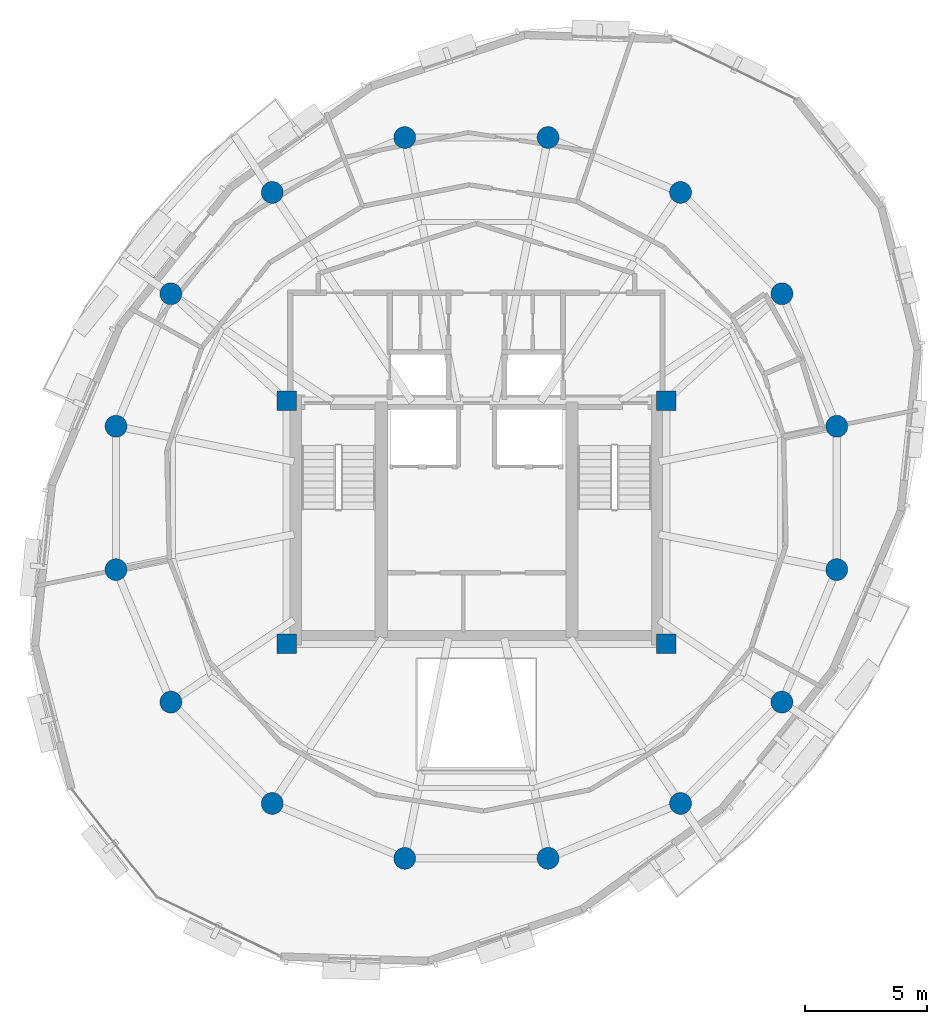
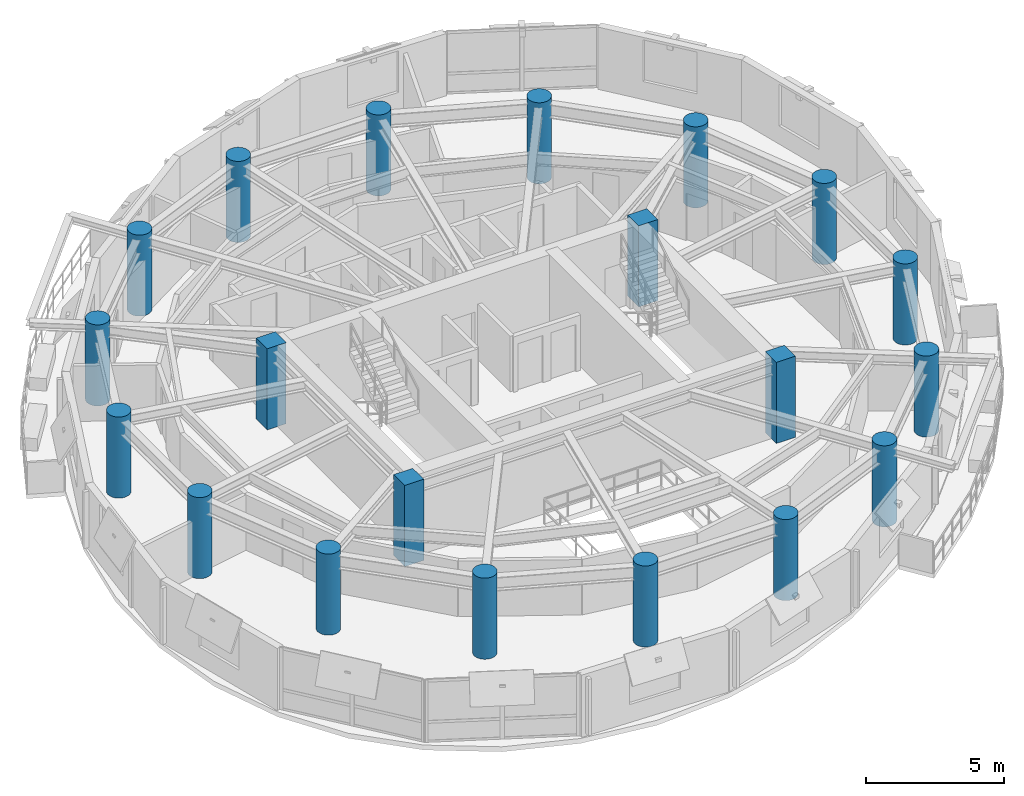
# One storey, part 1 of 11: 20 columns.
"""IFC4 building model written with IfcOpenShell, lengths in metres."""

from ifc_helpers import new_model, si_unit, direction, frame, origin, origin_2d, place, context, subcontext, project, spatial, rectangle, circle, extrude, material, material_profile, profile_set, type_object, element, save


model = new_model("IFC4")

# Units and contexts
model_context = context("Model", 3, precision=1e-05, world=origin(), true_north=direction((0.0, 1.0)))
body_context = subcontext(model_context, "Body", "Model", "MODEL_VIEW")
ifc_project = project(units=[si_unit("LENGTHUNIT", "METRE"), si_unit("AREAUNIT", "SQUARE_METRE"), si_unit("VOLUMEUNIT", "CUBIC_METRE"), si_unit("PLANEANGLEUNIT", "RADIAN"), si_unit("MASSUNIT", "GRAM", prefix="KILO"), si_unit("THERMODYNAMICTEMPERATUREUNIT", "KELVIN"), si_unit("POWERUNIT", "WATT")], contexts=[model_context])

# Site, building, storey
site_placement = place(None, origin())
site = spatial("IfcSite", under=ifc_project, at=site_placement, CompositionType="ELEMENT")
building_placement = place(site_placement, origin())
building = spatial("IfcBuilding", under=site, at=building_placement, Name="Ocrelia Relay Tower", CompositionType="ELEMENT")
storey_placement = place(building_placement, frame((0.0, 0.0, 244.800048828125)))
storey = spatial("IfcBuildingStorey", under=building, at=storey_placement, Name="L60", CompositionType="ELEMENT", Elevation=244.800048828125)

# Columns
ifc_material_1 = material(Name="Concrete C50/60", Category="concrete")
ifc_material_profile_1 = material_profile(ifc_material_1, circle(Radius=0.449951171875, at=origin_2d()), Name="RC-CIR-900")
ifc_profile_set_1 = profile_set([ifc_material_profile_1], Name="Concrete C50/60")
column_type_1 = type_object("IfcColumnType", Name="COL-CT-900", PredefinedType="COLUMN", material=ifc_profile_set_1)
for number, where, z_axis, x_axis, name in (
    (1, (48.809814453125, 28.94580078125, 0.0), (0.0, 0.0, 1.0), (1.0, 0.0, 0.0), "L60 Perimeter Ring Column C01"),
    (2, (46.55517578125, 34.38916015625, 0.0), (0.0, 0.0, 1.0), (1.0, 0.0, 0.0), "L60 Perimeter Ring Column C02"),
    (3, (42.38916015625, 38.55517578125, 0.0), (0.0, 0.0, 1.0), (1.0, 0.0, 0.0), "L60 Perimeter Ring Column C03"),
    (4, (36.94580078125, 40.809814453125, 0.0), (0.0, 0.0, 1.0), (1.0, 0.0, 0.0), "L60 Perimeter Ring Column C04"),
    (5, (31.05419921875, 40.809814453125, 0.0), (0.0, 0.0, 1.0), (1.0, 0.0, 0.0), "L60 Perimeter Ring Column C05"),
    (6, (25.61083984375, 38.55517578125, 0.0), (0.0, 0.0, 1.0), (1.0, 0.0, 0.0), "L60 Perimeter Ring Column C06"),
    (7, (21.44482421875, 34.38916015625, 0.0), (0.0, 0.0, 1.0), (1.0, 0.0, 0.0), "L60 Perimeter Ring Column C07"),
    (8, (19.190185546875, 28.94580078125, 0.0), (0.0, 0.0, 1.0), (1.0, 0.0, 0.0), "L60 Perimeter Ring Column C08"),
    (9, (19.190185546875, 23.05419921875, 0.0), (0.0, 0.0, 1.0), (1.0, 0.0, 0.0), "L60 Perimeter Ring Column C09"),
    (10, (21.44482421875, 17.61083984375, 0.0), (0.0, 0.0, 1.0), (1.0, 0.0, 0.0), "L60 Perimeter Ring Column C10"),
    (11, (25.61083984375, 13.44482421875, 0.0), (0.0, 0.0, 1.0), (1.0, 0.0, 0.0), "L60 Perimeter Ring Column C11"),
    (12, (31.05419921875, 11.190185546875, 0.0), (0.0, 0.0, 1.0), (1.0, 0.0, 0.0), "L60 Perimeter Ring Column C12"),
    (13, (36.94580078125, 11.190185546875, 0.0), (0.0, 0.0, 1.0), (1.0, 0.0, 0.0), "L60 Perimeter Ring Column C13"),
    (14, (42.38916015625, 13.44482421875, 0.0), (0.0, 0.0, 1.0), (1.0, 0.0, 0.0), "L60 Perimeter Ring Column C14"),
    (15, (46.55517578125, 17.61083984375, 0.0), (0.0, 0.0, 1.0), (1.0, 0.0, 0.0), "L60 Perimeter Ring Column C15"),
    (16, (48.809814453125, 23.05419921875, 0.0), (0.0, 0.0, 1.0), (1.0, 0.0, 0.0), "L60 Perimeter Ring Column C16"),
):
    element("IfcColumn", number, at=place(storey_placement, frame(where, z_axis=z_axis, x_axis=x_axis)), inside=storey, type_object=column_type_1, Name=name, PredefinedType="COLUMN", context=body_context, shape_type="SweptSolid", body=[
        extrude(circle(Radius=0.449951171875, at=origin_2d()), origin(), (0.0, 0.0, 1.0), 3.599853515625),
    ])
ifc_material_2 = material(Name="Concrete C60/75", Category="concrete")
ifc_material_profile_2 = material_profile(ifc_material_2, rectangle(XDim=0.800048828125, YDim=0.800048828125, at=origin_2d()), Name="RC-COL-800x800")
ifc_profile_set_2 = profile_set([ifc_material_profile_2], Name="Concrete C60/75")
column_type_2 = type_object("IfcColumnType", Name="COL-PILASTER-800", PredefinedType="PILASTER", material=ifc_profile_set_2)
for number, where, z_axis, x_axis, name in (
    (17, (26.199951171875, 20.0, 0.0), (0.0, 0.0, 1.0), (1.0, 0.0, 0.0), "L60 Core Corner Pilaster SW"),
    (18, (41.800048828125, 20.0, 0.0), (0.0, 0.0, 1.0), (1.0, 0.0, 0.0), "L60 Core Corner Pilaster SE"),
    (19, (26.199951171875, 30.0, 0.0), (0.0, 0.0, 1.0), (1.0, 0.0, 0.0), "L60 Core Corner Pilaster NW"),
    (20, (41.800048828125, 30.0, 0.0), (0.0, 0.0, 1.0), (1.0, 0.0, 0.0), "L60 Core Corner Pilaster NE"),
):
    element("IfcColumn", number, at=place(storey_placement, frame(where, z_axis=z_axis, x_axis=x_axis)), inside=storey, type_object=column_type_2, Name=name, PredefinedType="PILASTER", context=body_context, shape_type="SweptSolid", body=[
        extrude(rectangle(XDim=0.800048828125, YDim=0.800048828125, at=origin_2d()), origin(), (0.0, 0.0, 1.0), 3.599853515625),
    ])

save(model, "model.ifc")
